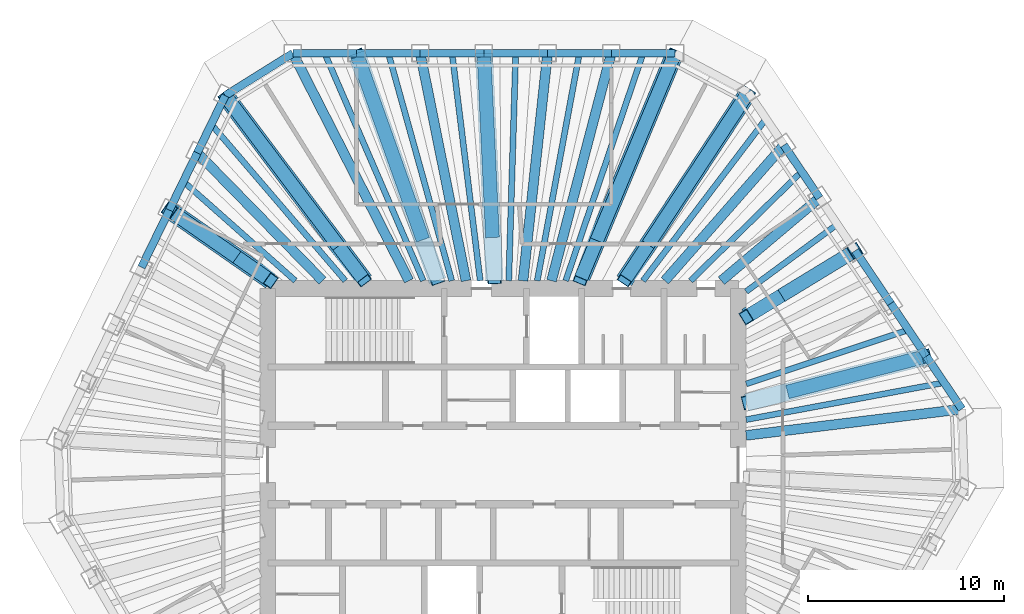
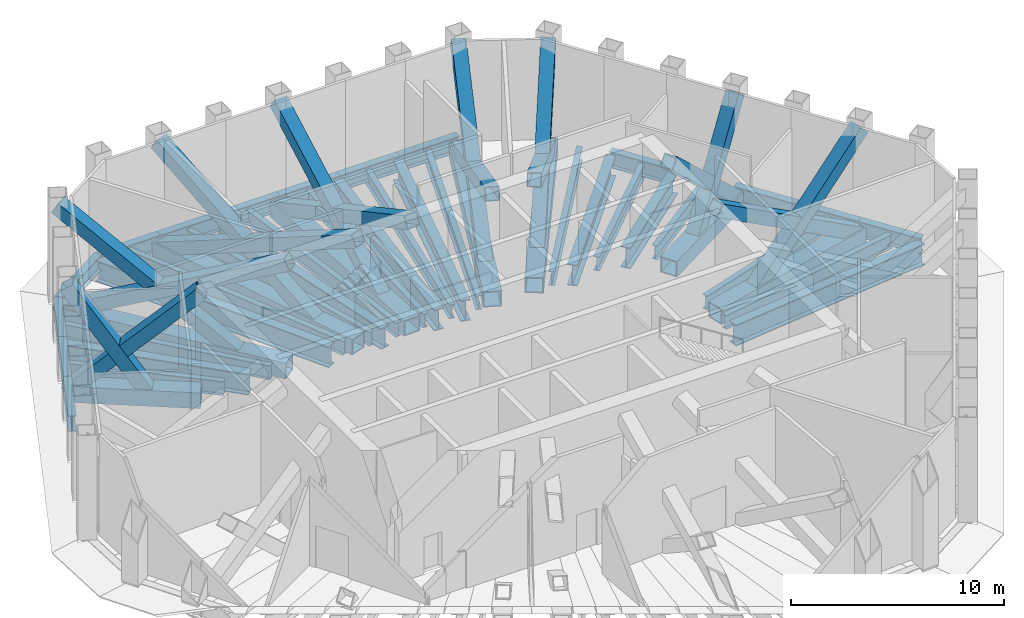
# One storey, part 3 of 10: 43 beams, 16 members.
"""IFC4 building model written with IfcOpenShell, lengths in metres."""

from ifc_helpers import new_model, si_unit, direction, frame, origin, origin_2d, place, context, subcontext, project, spatial, hollow_rectangle, i_section, extrude, material, material_profile, profile_set, type_object, element, save


model = new_model("IFC4")

# Units and contexts
model_context = context("Model", 3, precision=1e-05, world=origin(), true_north=direction((0.0, 1.0)))
body_context = subcontext(model_context, "Body", "Model", "MODEL_VIEW")
ifc_project = project(units=[si_unit("LENGTHUNIT", "METRE"), si_unit("AREAUNIT", "SQUARE_METRE"), si_unit("VOLUMEUNIT", "CUBIC_METRE"), si_unit("PLANEANGLEUNIT", "RADIAN"), si_unit("MASSUNIT", "GRAM", prefix="KILO")], contexts=[model_context])

# Site, building, storey
site_placement = place(None, origin())
site = spatial("IfcSite", under=ifc_project, at=site_placement, CompositionType="ELEMENT")
building_placement = place(site_placement, origin())
building = spatial("IfcBuilding", under=site, at=building_placement, Name="Qingtian Harvest Tower", CompositionType="ELEMENT")
storey_placement = place(building_placement, frame((0.0, 0.0, 337.60009765625)))
storey = spatial("IfcBuildingStorey", under=building, at=storey_placement, Name="L75", CompositionType="ELEMENT", Elevation=337.60009765625)

# Beams
ifc_material_1 = material(Name="Steel SN490B", Category="steel")
ifc_material_profile_1 = material_profile(ifc_material_1, i_section(OverallWidth=0.300048828125, OverallDepth=0.800048828125, WebThickness=0.013916015625, FlangeThickness=0.02587890625, at=origin_2d()), Name="H800x300x14x26")
ifc_profile_set_1 = profile_set([ifc_material_profile_1], Name="Steel SN490B")
beam_type_1 = type_object("IfcBeamType", Name="Floor joist J1 H800x300x14x26", PredefinedType="JOIST", material=ifc_profile_set_1)
beam_1_placement = place(storey_placement, frame((-9.09814453125, 21.0, -0.68017578125), z_axis=(0.39753589741, -0.917586622761, 0.0), x_axis=(0.917586622761, 0.39753589741, 0.0)))
element("IfcBeam", 1, at=beam_1_placement, inside=storey, type_object=beam_type_1, Name="Floor joist J1 N0", PredefinedType="JOIST", context=body_context, shape_type="SweptSolid", body=[
    extrude(i_section(OverallWidth=0.300048828125, OverallDepth=0.800048828125, WebThickness=0.013916015625, FlangeThickness=0.02587890625, at=origin_2d()), origin(), (0.0, 0.0, 1.0), 12.641845703125),
])
beam_2_placement = place(storey_placement, frame((-5.85009765625, 21.0, -0.68017578125), z_axis=(0.268352758425, -0.963320713494, 0.0), x_axis=(0.963320713494, 0.268352758425, 0.0)))
element("IfcBeam", 2, at=beam_2_placement, inside=storey, type_object=beam_type_1, Name="Floor joist J1 N1", PredefinedType="JOIST", context=body_context, shape_type="SweptSolid", body=[
    extrude(i_section(OverallWidth=0.300048828125, OverallDepth=0.800048828125, WebThickness=0.013916015625, FlangeThickness=0.02587890625, at=origin_2d()), origin(), (0.0, 0.0, 1.0), 12.041748046875),
])
beam_3_placement = place(storey_placement, frame((-2.602294921875, 21.0, -0.68017578125), z_axis=(0.122980691304, -0.992409063626, 0.0), x_axis=(0.992409063626, 0.122980691304, 0.0)))
element("IfcBeam", 3, at=beam_3_placement, inside=storey, type_object=beam_type_1, Name="Floor joist J1 N2", PredefinedType="JOIST", context=body_context, shape_type="SweptSolid", body=[
    extrude(i_section(OverallWidth=0.300048828125, OverallDepth=0.800048828125, WebThickness=0.013916015625, FlangeThickness=0.02587890625, at=origin_2d()), origin(), (0.0, 0.0, 1.0), 11.688720703125),
])
beam_4_placement = place(storey_placement, frame((0.645751953125, 21.0, -0.68017578125), z_axis=(-0.030734305856, -0.999527589636, 0.0), x_axis=(0.999527589636, -0.030734305856, 0.0)))
element("IfcBeam", 4, at=beam_4_placement, inside=storey, type_object=beam_type_1, Name="Floor joist J1 N3", PredefinedType="JOIST", context=body_context, shape_type="SweptSolid", body=[
    extrude(i_section(OverallWidth=0.300048828125, OverallDepth=0.800048828125, WebThickness=0.013916015625, FlangeThickness=0.02587890625, at=origin_2d()), origin(), (0.0, 0.0, 1.0), 11.60546875),
])
beam_5_placement = place(storey_placement, frame((3.893798828125, 21.0, -0.68017578125), z_axis=(-0.182311561934, -0.983240812001, 0.0), x_axis=(0.983240812001, -0.182311561934, 0.0)))
element("IfcBeam", 5, at=beam_5_placement, inside=storey, type_object=beam_type_1, Name="Floor joist J1 N4", PredefinedType="JOIST", context=body_context, shape_type="SweptSolid", body=[
    extrude(i_section(OverallWidth=0.300048828125, OverallDepth=0.800048828125, WebThickness=0.013916015625, FlangeThickness=0.02587890625, at=origin_2d()), origin(), (0.0, 0.0, 1.0), 11.7978515625),
])
beam_6_placement = place(storey_placement, frame((7.141845703125, 21.0, -0.68017578125), z_axis=(-0.321978462512, -0.946746993488, 0.0), x_axis=(0.946746993488, -0.321978462512, 0.0)))
element("IfcBeam", 6, at=beam_6_placement, inside=storey, type_object=beam_type_1, Name="Floor joist J1 N5", PredefinedType="JOIST", context=body_context, shape_type="SweptSolid", body=[
    extrude(i_section(OverallWidth=0.300048828125, OverallDepth=0.800048828125, WebThickness=0.013916015625, FlangeThickness=0.02587890625, at=origin_2d()), origin(), (0.0, 0.0, 1.0), 12.252685546875),
])
beam_7_placement = place(storey_placement, frame((13.416015625, 17.6640625, -0.68017578125), z_axis=(-0.604829724016, -0.796354823522, 0.0), x_axis=(0.796354823522, -0.604829724016, 0.0)))
element("IfcBeam", 7, at=beam_7_placement, inside=storey, type_object=beam_type_1, Name="Floor joist J1 NE0", PredefinedType="JOIST", context=body_context, shape_type="SweptSolid", body=[
    extrude(i_section(OverallWidth=0.300048828125, OverallDepth=0.800048828125, WebThickness=0.013916015625, FlangeThickness=0.02587890625, at=origin_2d()), origin(), (0.0, 0.0, 1.0), 10.37744140625),
])
beam_8_placement = place(storey_placement, frame((15.232421875, 14.97119140625, -0.68017578125), z_axis=(-0.713193091885, -0.700967626704, 0.0), x_axis=(0.700967626704, -0.713193091885, 0.0)))
element("IfcBeam", 8, at=beam_8_placement, inside=storey, type_object=beam_type_1, Name="Floor joist J1 NE1", PredefinedType="JOIST", context=body_context, shape_type="SweptSolid", body=[
    extrude(i_section(OverallWidth=0.300048828125, OverallDepth=0.800048828125, WebThickness=0.013916015625, FlangeThickness=0.02587890625, at=origin_2d()), origin(), (0.0, 0.0, 1.0), 7.947998046875),
])
beam_9_placement = place(storey_placement, frame((17.048583984375, 12.278564453125, -0.68017578125), z_axis=(-0.804797608796, -0.59354933146, 0.0), x_axis=(0.59354933146, -0.804797608796, 0.0)))
element("IfcBeam", 9, at=beam_9_placement, inside=storey, type_object=beam_type_1, Name="Floor joist J1 NE2", PredefinedType="JOIST", context=body_context, shape_type="SweptSolid", body=[
    extrude(i_section(OverallWidth=0.300048828125, OverallDepth=0.800048828125, WebThickness=0.013916015625, FlangeThickness=0.02587890625, at=origin_2d()), origin(), (0.0, 0.0, 1.0), 5.776123046875),
])
beam_10_placement = place(storey_placement, frame((20.68115234375, 6.89306640625, -0.68017578125), z_axis=(-0.948688891587, -0.316210984914, 0.0), x_axis=(0.316210984914, -0.948688891587, 0.0)))
element("IfcBeam", 10, at=beam_10_placement, inside=storey, type_object=beam_type_1, Name="Floor joist J1 NE4", PredefinedType="JOIST", context=body_context, shape_type="SweptSolid", body=[
    extrude(i_section(OverallWidth=0.300048828125, OverallDepth=0.800048828125, WebThickness=0.013916015625, FlangeThickness=0.02587890625, at=origin_2d()), origin(), (0.0, 0.0, 1.0), 8.729248046875),
])
beam_11_placement = place(storey_placement, frame((22.49755859375, 4.2001953125, -0.68017578125), z_axis=(-0.983018248018, -0.183507831067, 0.0), x_axis=(0.183507831067, -0.983018248018, 0.0)))
element("IfcBeam", 11, at=beam_11_placement, inside=storey, type_object=beam_type_1, Name="Floor joist J1 NE5", PredefinedType="JOIST", context=body_context, shape_type="SweptSolid", body=[
    extrude(i_section(OverallWidth=0.300048828125, OverallDepth=0.800048828125, WebThickness=0.013916015625, FlangeThickness=0.02587890625, at=origin_2d()), origin(), (0.0, 0.0, 1.0), 10.27197265625),
])
beam_12_placement = place(storey_placement, frame((-16.31005859375, 14.4638671875, -0.68017578125), z_axis=(0.748174776717, -0.663501698177, 0.0), x_axis=(0.663501698177, 0.748174776717, 0.0)))
element("IfcBeam", 12, at=beam_12_placement, inside=storey, type_object=beam_type_1, Name="Floor joist J1 NW4", PredefinedType="JOIST", context=body_context, shape_type="SweptSolid", body=[
    extrude(i_section(OverallWidth=0.300048828125, OverallDepth=0.800048828125, WebThickness=0.013916015625, FlangeThickness=0.02587890625, at=origin_2d()), origin(), (0.0, 0.0, 1.0), 7.632080078125),
])
beam_13_placement = place(storey_placement, frame((-14.88623046875, 17.38330078125, -0.68017578125), z_axis=(0.650435500933, -0.75956149134, 0.0), x_axis=(0.75956149134, 0.650435500933, 0.0)))
element("IfcBeam", 13, at=beam_13_placement, inside=storey, type_object=beam_type_1, Name="Floor joist J1 NW5", PredefinedType="JOIST", context=body_context, shape_type="SweptSolid", body=[
    extrude(i_section(OverallWidth=0.300048828125, OverallDepth=0.800048828125, WebThickness=0.013916015625, FlangeThickness=0.02587890625, at=origin_2d()), origin(), (0.0, 0.0, 1.0), 10.510498046875),
])
ifc_material_2 = material(Name="Steel SM570MC", Category="steel")
ifc_material_profile_2 = material_profile(ifc_material_2, hollow_rectangle(XDim=0.89990234375, YDim=0.89990234375, WallThickness=0.06005859375, at=origin_2d()), Name="BOX900x900x60")
ifc_profile_set_2 = profile_set([ifc_material_profile_2], Name="Steel SM570MC")
beam_type_2 = type_object("IfcBeamType", Name="Outrigger chord beam OC1 BOX900x900x60", PredefinedType="BEAM", material=ifc_profile_set_2)
beam_14_placement = place(storey_placement, frame((-7.47412109375, 21.0, -0.72998046875), z_axis=(0.335293644082, -0.942113672673, 0.0), x_axis=(0.942113672673, 0.335293644082, 0.0)))
element("IfcBeam", 14, at=beam_14_placement, inside=storey, type_object=beam_type_2, Name="Floor beam OC1 N1", PredefinedType="BEAM", context=body_context, shape_type="SweptSolid", body=[
    extrude(hollow_rectangle(XDim=0.89990234375, YDim=0.89990234375, WallThickness=0.06005859375, at=origin_2d()), origin(), (0.0, 0.0, 1.0), 12.312744140625),
])
beam_15_placement = place(storey_placement, frame((-0.978271484375, 21.0, -0.72998046875), z_axis=(0.046546287853, -0.998916134161, 0.0), x_axis=(0.998916134161, 0.046546287853, 0.0)))
element("IfcBeam", 15, at=beam_15_placement, inside=storey, type_object=beam_type_2, Name="Floor beam OC1 N3", PredefinedType="BEAM", context=body_context, shape_type="SweptSolid", body=[
    extrude(hollow_rectangle(XDim=0.89990234375, YDim=0.89990234375, WallThickness=0.06005859375, at=origin_2d()), origin(), (0.0, 0.0, 1.0), 11.61279296875),
])
beam_16_placement = place(storey_placement, frame((8.765869140625, 21.0, -0.72998046875), z_axis=(-0.385202803059, -0.922831945977, 0.0), x_axis=(0.922831945977, -0.385202803059, 0.0)))
element("IfcBeam", 16, at=beam_16_placement, inside=storey, type_object=beam_type_2, Name="Floor beam OC1 N6", PredefinedType="BEAM", context=body_context, shape_type="SweptSolid", body=[
    extrude(hollow_rectangle(XDim=0.89990234375, YDim=0.89990234375, WallThickness=0.06005859375, at=origin_2d()), origin(), (0.0, 0.0, 1.0), 12.570068359375),
])
beam_17_placement = place(storey_placement, frame((12.508056640625, 19.01025390625, -0.72998046875), z_axis=(-0.549655478371, -0.835391438247, 0.0), x_axis=(0.835391438247, -0.549655478371, 0.0)))
element("IfcBeam", 17, at=beam_17_placement, inside=storey, type_object=beam_type_2, Name="Floor beam OC1 NE0", PredefinedType="BEAM", context=body_context, shape_type="SweptSolid", body=[
    extrude(hollow_rectangle(XDim=0.89990234375, YDim=0.89990234375, WallThickness=0.06005859375, at=origin_2d()), origin(), (0.0, 0.0, 1.0), 11.50390625),
])
beam_18_placement = place(storey_placement, frame((17.956787109375, 10.93212890625, -0.72998046875), z_axis=(-0.854157247087, -0.520014804836, 0.0), x_axis=(0.520014804836, -0.854157247087, 0.0)))
element("IfcBeam", 18, at=beam_18_placement, inside=storey, type_object=beam_type_2, Name="Floor beam OC1 NE3", PredefinedType="BEAM", context=body_context, shape_type="SweptSolid", body=[
    extrude(hollow_rectangle(XDim=0.89990234375, YDim=0.89990234375, WallThickness=0.06005859375, at=origin_2d()), origin(), (0.0, 0.0, 1.0), 6.505615234375),
])
beam_19_placement = place(storey_placement, frame((21.58935546875, 5.546630859375, -0.72998046875), z_axis=(-0.96854787986, -0.248827258189, 0.0), x_axis=(0.248827258189, -0.96854787986, 0.0)))
element("IfcBeam", 19, at=beam_19_placement, inside=storey, type_object=beam_type_2, Name="Floor beam OC1 NE5", PredefinedType="BEAM", context=body_context, shape_type="SweptSolid", body=[
    extrude(hollow_rectangle(XDim=0.89990234375, YDim=0.89990234375, WallThickness=0.06005859375, at=origin_2d()), origin(), (0.0, 0.0, 1.0), 9.48779296875),
])
beam_20_placement = place(storey_placement, frame((-17.02197265625, 13.00439453125, -0.72998046875), z_axis=(0.820409176986, -0.571776864097, 0.0), x_axis=(0.571776864097, 0.820409176986, 0.0)))
element("IfcBeam", 20, at=beam_20_placement, inside=storey, type_object=beam_type_2, Name="Floor beam OC1 NW4", PredefinedType="BEAM", context=body_context, shape_type="SweptSolid", body=[
    extrude(hollow_rectangle(XDim=0.89990234375, YDim=0.89990234375, WallThickness=0.06005859375, at=origin_2d()), origin(), (0.0, 0.0, 1.0), 6.303955078125),
])
beam_21_placement = place(storey_placement, frame((-14.17431640625, 18.8427734375, -0.72998046875), z_axis=(0.601143201392, -0.799141321307, 0.0), x_axis=(0.799141321307, 0.601143201392, 0.0)))
element("IfcBeam", 21, at=beam_21_placement, inside=storey, type_object=beam_type_2, Name="Floor beam OC1 NW6", PredefinedType="BEAM", context=body_context, shape_type="SweptSolid", body=[
    extrude(hollow_rectangle(XDim=0.89990234375, YDim=0.89990234375, WallThickness=0.06005859375, at=origin_2d()), origin(), (0.0, 0.0, 1.0), 11.816162109375),
])

# Members
ifc_material_3 = material(Name="Steel SM570MC", Category="steel")
ifc_material_profile_3 = material_profile(ifc_material_3, hollow_rectangle(XDim=0.699951171875, YDim=0.699951171875, WallThickness=0.0400390625, at=origin_2d()), Name="BOX700x700x40")
ifc_profile_set_3 = profile_set([ifc_material_profile_3], Name="Steel SM570MC")
member_type = type_object("IfcMemberType", Name="Outrigger diagonal OT4 BOX700x700x40", PredefinedType="BRACE", material=ifc_profile_set_3)
member_1_placement = place(storey_placement, frame((8.765869140625, 21.0, -0.72998046875), z_axis=(-0.347310878892, -0.832054106775, 0.432505626324), x_axis=(0.922831945977, -0.385202803059, 0.0)))
element("IfcMember", 22, at=member_1_placement, inside=storey, type_object=member_type, Name="Outrigger diagonal OT4 L75 N6-1", PredefinedType="BRACE", context=body_context, shape_type="SweptSolid", body=[
    extrude(hollow_rectangle(XDim=0.699951171875, YDim=0.699951171875, WallThickness=0.0400390625, at=origin_2d()), origin(), (0.0, 0.0, 1.0), 13.94140625),
])
member_2_placement = place(storey_placement, frame((4.848388671875, 11.61474609375, -0.72998046875), z_axis=(0.331338549755, 0.793800107794, 0.509996229704), x_axis=(-0.922833839316, 0.385198267147, 0.0)))
element("IfcMember", 23, at=member_2_placement, inside=storey, type_object=member_type, Name="Outrigger diagonal OT4 L75 N6-2", PredefinedType="BRACE", context=body_context, shape_type="SweptSolid", body=[
    extrude(hollow_rectangle(XDim=0.699951171875, YDim=0.699951171875, WallThickness=0.0400390625, at=origin_2d()), origin(), (0.0, 0.0, 1.0), 11.8232421875),
])
member_3_placement = place(storey_placement, frame((-7.47412109375, 21.0, -0.72998046875), z_axis=(0.301124330333, -0.846104165075, 0.439808912511), x_axis=(0.942113672673, 0.335293644082, 0.0)))
element("IfcMember", 24, at=member_3_placement, inside=storey, type_object=member_type, Name="Outrigger diagonal OT4 L75 N1-1", PredefinedType="BRACE", context=body_context, shape_type="SweptSolid", body=[
    extrude(hollow_rectangle(XDim=0.699951171875, YDim=0.699951171875, WallThickness=0.0400390625, at=origin_2d()), origin(), (0.0, 0.0, 1.0), 13.7099609375),
])
member_4_placement = place(storey_placement, frame((-4.150390625, 11.6611328125, -0.72998046875), z_axis=(-0.28646469948, 0.804895525527, 0.519693341249), x_axis=(-0.942111335097, -0.335300212172, 0.0)))
element("IfcMember", 25, at=member_4_placement, inside=storey, type_object=member_type, Name="Outrigger diagonal OT4 L75 N1-2", PredefinedType="BRACE", context=body_context, shape_type="SweptSolid", body=[
    extrude(hollow_rectangle(XDim=0.699951171875, YDim=0.699951171875, WallThickness=0.0400390625, at=origin_2d()), origin(), (0.0, 0.0, 1.0), 11.6025390625),
])
member_5_placement = place(storey_placement, frame((21.58935546875, 5.546630859375, -0.72998046875), z_axis=(-0.817436565856, -0.210005621462, 0.536372165343), x_axis=(0.248827258189, -0.96854787986, 0.0)))
element("IfcMember", 26, at=member_5_placement, inside=storey, type_object=member_type, Name="Outrigger diagonal OT4 L75 NE5-1", PredefinedType="BRACE", context=body_context, shape_type="SweptSolid", body=[
    extrude(hollow_rectangle(XDim=0.699951171875, YDim=0.699951171875, WallThickness=0.0400390625, at=origin_2d()), origin(), (0.0, 0.0, 1.0), 11.24169921875),
])
member_6_placement = place(storey_placement, frame((14.724609375, 3.782958984375, -0.72998046875), z_axis=(0.737703111156, 0.189528674692, 0.647976080778), x_axis=(-0.248836100483, 0.968545608165, 0.0)))
element("IfcMember", 27, at=member_6_placement, inside=storey, type_object=member_type, Name="Outrigger diagonal OT4 L75 NE5-2", PredefinedType="BRACE", context=body_context, shape_type="SweptSolid", body=[
    extrude(hollow_rectangle(XDim=0.699951171875, YDim=0.699951171875, WallThickness=0.0400390625, at=origin_2d()), origin(), (0.0, 0.0, 1.0), 9.3056640625),
])
member_7_placement = place(storey_placement, frame((-0.978271484375, 21.0, -0.72998046875), z_axis=(0.041309470105, -0.886530335403, 0.460822625411), x_axis=(0.998916134161, 0.046546287853, 0.0)))
element("IfcMember", 28, at=member_7_placement, inside=storey, type_object=member_type, Name="Outrigger diagonal OT4 L75 N3-1", PredefinedType="BRACE", context=body_context, shape_type="SweptSolid", body=[
    extrude(hollow_rectangle(XDim=0.699951171875, YDim=0.699951171875, WallThickness=0.0400390625, at=origin_2d()), origin(), (0.0, 0.0, 1.0), 13.084716796875),
])
member_8_placement = place(storey_placement, frame((-0.549560546875, 11.79736328125, -0.72998046875), z_axis=(-0.038936632857, 0.835807197561, 0.547640636848), x_axis=(-0.998916650992, -0.046535194968, 0.0)))
element("IfcMember", 29, at=member_8_placement, inside=storey, type_object=member_type, Name="Outrigger diagonal OT4 L75 N3-2", PredefinedType="BRACE", context=body_context, shape_type="SweptSolid", body=[
    extrude(hollow_rectangle(XDim=0.699951171875, YDim=0.699951171875, WallThickness=0.0400390625, at=origin_2d()), origin(), (0.0, 0.0, 1.0), 11.010498046875),
])
member_9_placement = place(storey_placement, frame((17.956787109375, 10.93212890625, -0.72998046875), z_axis=(-0.626459112351, -0.38139114801, 0.679771853471), x_axis=(0.520014804836, -0.854157247087, 0.0)))
element("IfcMember", 30, at=member_9_placement, inside=storey, type_object=member_type, Name="Outrigger diagonal OT4 L75 NE3-1", PredefinedType="BRACE", context=body_context, shape_type="SweptSolid", body=[
    extrude(hollow_rectangle(XDim=0.699951171875, YDim=0.699951171875, WallThickness=0.0400390625, at=origin_2d()), origin(), (0.0, 0.0, 1.0), 8.870361328125),
])
member_10_placement = place(storey_placement, frame((14.449951171875, 8.797119140625, -0.72998046875), z_axis=(0.480729265422, 0.292674563222, 0.826583917948), x_axis=(-0.520020517397, 0.854153769228, 0.0)))
element("IfcMember", 31, at=member_10_placement, inside=storey, type_object=member_type, Name="Outrigger diagonal OT4 L75 NE3-2", PredefinedType="BRACE", context=body_context, shape_type="SweptSolid", body=[
    extrude(hollow_rectangle(XDim=0.699951171875, YDim=0.699951171875, WallThickness=0.0400390625, at=origin_2d()), origin(), (0.0, 0.0, 1.0), 7.294921875),
])
member_11_placement = place(storey_placement, frame((-17.02197265625, 13.00439453125, -0.72998046875), z_axis=(0.592868870538, -0.413194675445, 0.691213905048), x_axis=(0.571776864097, 0.820409176986, 0.0)))
element("IfcMember", 32, at=member_11_placement, inside=storey, type_object=member_type, Name="Outrigger diagonal OT4 L75 NW4-1", PredefinedType="BRACE", context=body_context, shape_type="SweptSolid", body=[
    extrude(hollow_rectangle(XDim=0.699951171875, YDim=0.699951171875, WallThickness=0.0400390625, at=origin_2d()), origin(), (0.0, 0.0, 1.0), 8.723388671875),
])
member_12_placement = place(storey_placement, frame((-13.819091796875, 10.772216796875, -0.72998046875), z_axis=(-0.445880598056, 0.310746726734, 0.839420612149), x_axis=(-0.571769703131, -0.820414167711, 0.0)))
element("IfcMember", 33, at=member_12_placement, inside=storey, type_object=member_type, Name="Outrigger diagonal OT4 L75 NW4-2", PredefinedType="BRACE", context=body_context, shape_type="SweptSolid", body=[
    extrude(hollow_rectangle(XDim=0.699951171875, YDim=0.699951171875, WallThickness=0.0400390625, at=origin_2d()), origin(), (0.0, 0.0, 1.0), 7.183349609375),
])
member_13_placement = place(storey_placement, frame((12.508056640625, 19.01025390625, -0.72998046875), z_axis=(-0.486834734612, -0.739913609779, 0.464241091717), x_axis=(0.835391438247, -0.549655478371, 0.0)))
element("IfcMember", 34, at=member_13_placement, inside=storey, type_object=member_type, Name="Outrigger diagonal OT4 L75 NE0-1", PredefinedType="BRACE", context=body_context, shape_type="SweptSolid", body=[
    extrude(hollow_rectangle(XDim=0.699951171875, YDim=0.699951171875, WallThickness=0.0400390625, at=origin_2d()), origin(), (0.0, 0.0, 1.0), 12.988525390625),
])
member_14_placement = place(storey_placement, frame((7.50390625, 11.405029296875, -0.72998046875), z_axis=(0.458269228012, 0.696469957642, 0.552194633041), x_axis=(-0.835381112549, 0.549671171517, 0.0)))
element("IfcMember", 35, at=member_14_placement, inside=storey, type_object=member_type, Name="Outrigger diagonal OT4 L75 NE0-2", PredefinedType="BRACE", context=body_context, shape_type="SweptSolid", body=[
    extrude(hollow_rectangle(XDim=0.699951171875, YDim=0.699951171875, WallThickness=0.0400390625, at=origin_2d()), origin(), (0.0, 0.0, 1.0), 10.919677734375),
])
member_15_placement = place(storey_placement, frame((-14.17431640625, 18.8427734375, -0.72998046875), z_axis=(0.535455719513, -0.711818399015, 0.454534640335), x_axis=(0.799141321307, 0.601143201392, 0.0)))
element("IfcMember", 36, at=member_15_placement, inside=storey, type_object=member_type, Name="Outrigger diagonal OT4 L75 NW6-1", PredefinedType="BRACE", context=body_context, shape_type="SweptSolid", body=[
    extrude(hollow_rectangle(XDim=0.699951171875, YDim=0.699951171875, WallThickness=0.0400390625, at=origin_2d()), origin(), (0.0, 0.0, 1.0), 13.265869140625),
])
member_16_placement = place(storey_placement, frame((-8.513671875, 11.31787109375, -0.72998046875), z_axis=(-0.506252085461, 0.672979460798, 0.539265677853), x_axis=(-0.799134230793, -0.601152627187, 0.0)))
element("IfcMember", 37, at=member_16_placement, inside=storey, type_object=member_type, Name="Outrigger diagonal OT4 L75 NW6-2", PredefinedType="BRACE", context=body_context, shape_type="SweptSolid", body=[
    extrude(hollow_rectangle(XDim=0.699951171875, YDim=0.699951171875, WallThickness=0.0400390625, at=origin_2d()), origin(), (0.0, 0.0, 1.0), 11.181396484375),
])

# Beams
ifc_material_4 = material(Name="Steel SM570MC", Category="steel")
ifc_material_profile_4 = material_profile(ifc_material_4, i_section(OverallWidth=0.5, OverallDepth=1.199951171875, WebThickness=0.02490234375, FlangeThickness=0.050048828125, at=origin_2d()), Name="H1200x500x25x50")
ifc_profile_set_4 = profile_set([ifc_material_profile_4], Name="Steel SM570MC")
beam_type_3 = type_object("IfcBeamType", Name="Plant corner beam FB10 H1200x500x25x50", PredefinedType="BEAM", material=ifc_profile_set_4)
beam_22_placement = place(storey_placement, frame((-10.72216796875, 21.0, -0.880126953125), z_axis=(0.454725592954, -0.890631593372, 0.0), x_axis=(0.890631593372, 0.454725592954, 0.0)))
element("IfcBeam", 38, at=beam_22_placement, inside=storey, type_object=beam_type_3, Name="Floor beam FB10 N0", PredefinedType="BEAM", context=body_context, shape_type="SweptSolid", body=[
    extrude(i_section(OverallWidth=0.5, OverallDepth=1.199951171875, WebThickness=0.02490234375, FlangeThickness=0.050048828125, at=origin_2d()), origin(), (0.0, 0.0, 1.0), 13.024658203125),
])
beam_23_placement = place(storey_placement, frame((23.405517578125, 2.85400390625, -0.880126953125), z_axis=(-0.992647039178, -0.121044849583, 0.0), x_axis=(0.121044849583, -0.992647039178, 0.0)))
element("IfcBeam", 39, at=beam_23_placement, inside=storey, type_object=beam_type_3, Name="Floor beam FB10 NE6", PredefinedType="BEAM", context=body_context, shape_type="SweptSolid", body=[
    extrude(i_section(OverallWidth=0.5, OverallDepth=1.199951171875, WebThickness=0.02490234375, FlangeThickness=0.050048828125, at=origin_2d()), origin(), (0.0, 0.0, 1.0), 11.087158203125),
])
ifc_material_5 = material(Name="Steel SM570MC", Category="steel")
ifc_material_profile_5 = material_profile(ifc_material_5, i_section(OverallWidth=0.5, OverallDepth=1.199951171875, WebThickness=0.02490234375, FlangeThickness=0.050048828125, at=origin_2d()), Name="H1200x500x25x50")
ifc_profile_set_5 = profile_set([ifc_material_profile_5], Name="Steel SM570MC")
beam_type_4 = type_object("IfcBeamType", Name="Plant floor beam FB7 H1200x500x25x50", PredefinedType="BEAM", material=ifc_profile_set_5)
beam_24_placement = place(storey_placement, frame((-4.226318359375, 21.0, -0.880126953125), z_axis=(0.197290474792, -0.980345076265, 0.0), x_axis=(0.980345076265, 0.197290474792, 0.0)))
element("IfcBeam", 40, at=beam_24_placement, inside=storey, type_object=beam_type_4, Name="Floor beam FB7 N2", PredefinedType="BEAM", context=body_context, shape_type="SweptSolid", body=[
    extrude(i_section(OverallWidth=0.5, OverallDepth=1.199951171875, WebThickness=0.02490234375, FlangeThickness=0.050048828125, at=origin_2d()), origin(), (0.0, 0.0, 1.0), 11.832763671875),
])
beam_25_placement = place(storey_placement, frame((2.269775390625, 21.0, -0.880126953125), z_axis=(-0.107447744153, -0.994210733334, 0.0), x_axis=(0.994210733334, -0.107447744153, 0.0)))
element("IfcBeam", 41, at=beam_25_placement, inside=storey, type_object=beam_type_4, Name="Floor beam FB7 N4", PredefinedType="BEAM", context=body_context, shape_type="SweptSolid", body=[
    extrude(i_section(OverallWidth=0.5, OverallDepth=1.199951171875, WebThickness=0.02490234375, FlangeThickness=0.050048828125, at=origin_2d()), origin(), (0.0, 0.0, 1.0), 11.667724609375),
])
beam_26_placement = place(storey_placement, frame((5.517822265625, 21.0, -0.880126953125), z_axis=(-0.254118548412, -0.967173078282, 0.0), x_axis=(0.967173078282, -0.254118548412, 0.0)))
element("IfcBeam", 42, at=beam_26_placement, inside=storey, type_object=beam_type_4, Name="Floor beam FB7 N5", PredefinedType="BEAM", context=body_context, shape_type="SweptSolid", body=[
    extrude(i_section(OverallWidth=0.5, OverallDepth=1.199951171875, WebThickness=0.02490234375, FlangeThickness=0.050048828125, at=origin_2d()), origin(), (0.0, 0.0, 1.0), 11.993896484375),
])
beam_27_placement = place(storey_placement, frame((14.32421875, 16.317626953125, -0.880126953125), z_axis=(-0.659703637934, -0.751525854576, 0.0), x_axis=(0.751525854576, -0.659703637934, 0.0)))
element("IfcBeam", 43, at=beam_27_placement, inside=storey, type_object=beam_type_4, Name="Floor beam FB7 NE1", PredefinedType="BEAM", context=body_context, shape_type="SweptSolid", body=[
    extrude(i_section(OverallWidth=0.5, OverallDepth=1.199951171875, WebThickness=0.02490234375, FlangeThickness=0.050048828125, at=origin_2d()), origin(), (0.0, 0.0, 1.0), 9.204833984375),
])
beam_28_placement = place(storey_placement, frame((16.140625, 13.624755859375, -0.880126953125), z_axis=(-0.764157701072, -0.645029462809, 0.0), x_axis=(0.645029462809, -0.764157701072, 0.0)))
element("IfcBeam", 44, at=beam_28_placement, inside=storey, type_object=beam_type_4, Name="Floor beam FB7 NE2", PredefinedType="BEAM", context=body_context, shape_type="SweptSolid", body=[
    extrude(i_section(OverallWidth=0.5, OverallDepth=1.199951171875, WebThickness=0.02490234375, FlangeThickness=0.050048828125, at=origin_2d()), origin(), (0.0, 0.0, 1.0), 6.5498046875),
])
beam_29_placement = place(storey_placement, frame((-15.59814453125, 15.923583984375, -0.880126953125), z_axis=(0.699757003326, -0.714380946202, 0.0), x_axis=(0.714380946202, 0.699757003326, 0.0)))
element("IfcBeam", 45, at=beam_29_placement, inside=storey, type_object=beam_type_4, Name="Floor beam FB7 NW5", PredefinedType="BEAM", context=body_context, shape_type="SweptSolid", body=[
    extrude(i_section(OverallWidth=0.5, OverallDepth=1.199951171875, WebThickness=0.02490234375, FlangeThickness=0.050048828125, at=origin_2d()), origin(), (0.0, 0.0, 1.0), 9.1318359375),
])
ifc_material_6 = material(Name="Steel SN490B", Category="steel")
ifc_material_profile_6 = material_profile(ifc_material_6, i_section(OverallWidth=0.39990234375, OverallDepth=0.89990234375, WebThickness=0.01904296875, FlangeThickness=0.035888671875, at=origin_2d()), Name="H900x400x19x36")
ifc_profile_set_6 = profile_set([ifc_material_profile_6], Name="Steel SN490B")
beam_type_5 = type_object("IfcBeamType", Name="Spandrel beam SB4 H900x400x19x36", PredefinedType="SPANDREL", material=ifc_profile_set_6)
beam_30_placement = place(storey_placement, frame((-10.72216796875, 21.0, -0.4501953125), z_axis=(1.0, 0.0, 0.0), x_axis=(0.0, 1.0, 0.0)))
element("IfcBeam", 46, at=beam_30_placement, inside=storey, type_object=beam_type_5, Name="Spandrel SB4 N0", PredefinedType="SPANDREL", context=body_context, shape_type="SweptSolid", body=[
    extrude(i_section(OverallWidth=0.39990234375, OverallDepth=0.89990234375, WebThickness=0.01904296875, FlangeThickness=0.035888671875, at=origin_2d()), origin(), (0.0, 0.0, 1.0), 3.248046875),
])
beam_31_placement = place(storey_placement, frame((-7.47412109375, 21.0, -0.4501953125), z_axis=(1.0, 0.0, 0.0), x_axis=(0.0, 1.0, 0.0)))
element("IfcBeam", 47, at=beam_31_placement, inside=storey, type_object=beam_type_5, Name="Spandrel SB4 N1", PredefinedType="SPANDREL", context=body_context, shape_type="SweptSolid", body=[
    extrude(i_section(OverallWidth=0.39990234375, OverallDepth=0.89990234375, WebThickness=0.01904296875, FlangeThickness=0.035888671875, at=origin_2d()), origin(), (0.0, 0.0, 1.0), 3.247802734375),
])
for number, where, z_axis, x_axis, name in (
    (48, (-4.226318359375, 21.0, -0.4501953125), (1.0, 0.0, 0.0), (0.0, 1.0, 0.0), "Spandrel SB4 N2"),
    (49, (-0.978271484375, 21.0, -0.4501953125), (1.0, 0.0, 0.0), (0.0, 1.0, 0.0), "Spandrel SB4 N3"),
    (50, (2.269775390625, 21.0, -0.4501953125), (1.0, 0.0, 0.0), (0.0, 1.0, 0.0), "Spandrel SB4 N4"),
    (51, (5.517822265625, 21.0, -0.4501953125), (1.0, 0.0, 0.0), (0.0, 1.0, 0.0), "Spandrel SB4 N5"),
):
    element("IfcBeam", number, at=place(storey_placement, frame(where, z_axis=z_axis, x_axis=x_axis)), inside=storey, type_object=beam_type_5, Name=name, PredefinedType="SPANDREL", context=body_context, shape_type="SweptSolid", body=[
        extrude(i_section(OverallWidth=0.39990234375, OverallDepth=0.89990234375, WebThickness=0.01904296875, FlangeThickness=0.035888671875, at=origin_2d()), origin(), (0.0, 0.0, 1.0), 3.248046875),
    ])
beam_32_placement = place(storey_placement, frame((14.32421875, 16.317626953125, -0.4501953125), z_axis=(0.559201740147, -0.829031612073, 0.0), x_axis=(0.829031612073, 0.559201740147, 0.0)))
element("IfcBeam", 52, at=beam_32_placement, inside=storey, type_object=beam_type_5, Name="Spandrel SB4 NE1", PredefinedType="SPANDREL", context=body_context, shape_type="SweptSolid", body=[
    extrude(i_section(OverallWidth=0.39990234375, OverallDepth=0.89990234375, WebThickness=0.01904296875, FlangeThickness=0.035888671875, at=origin_2d()), origin(), (0.0, 0.0, 1.0), 3.248291015625),
])
for number, where, z_axis, x_axis, name in (
    (53, (17.956787109375, 10.93212890625, -0.4501953125), (0.55915007887, -0.829066456504, 0.0), (0.829066456504, 0.55915007887, 0.0), "Spandrel SB4 NE3"),
    (54, (19.77294921875, 8.2392578125, -0.4501953125), (0.5592365864, -0.829008106372, 0.0), (0.829008106372, 0.5592365864, 0.0), "Spandrel SB4 NE4"),
):
    element("IfcBeam", number, at=place(storey_placement, frame(where, z_axis=z_axis, x_axis=x_axis)), inside=storey, type_object=beam_type_5, Name=name, PredefinedType="SPANDREL", context=body_context, shape_type="SweptSolid", body=[
        extrude(i_section(OverallWidth=0.39990234375, OverallDepth=0.89990234375, WebThickness=0.01904296875, FlangeThickness=0.035888671875, at=origin_2d()), origin(), (0.0, 0.0, 1.0), 3.248046875),
    ])
beam_33_placement = place(storey_placement, frame((21.58935546875, 5.546630859375, -0.4501953125), z_axis=(0.559184924833, -0.829042954158, 0.0), x_axis=(0.829042954158, 0.559184924833, 0.0)))
element("IfcBeam", 55, at=beam_33_placement, inside=storey, type_object=beam_type_5, Name="Spandrel SB4 NE5", PredefinedType="SPANDREL", context=body_context, shape_type="SweptSolid", body=[
    extrude(i_section(OverallWidth=0.39990234375, OverallDepth=0.89990234375, WebThickness=0.01904296875, FlangeThickness=0.035888671875, at=origin_2d()), origin(), (0.0, 0.0, 1.0), 3.247802734375),
])
beam_34_placement = place(storey_placement, frame((-18.44580078125, 10.0849609375, -0.4501953125), z_axis=(0.438352548749, 0.898803116931, 0.0), x_axis=(-0.898803116931, 0.438352548749, 0.0)))
element("IfcBeam", 56, at=beam_34_placement, inside=storey, type_object=beam_type_5, Name="Spandrel SB4 NW3", PredefinedType="SPANDREL", context=body_context, shape_type="SweptSolid", body=[
    extrude(i_section(OverallWidth=0.39990234375, OverallDepth=0.89990234375, WebThickness=0.01904296875, FlangeThickness=0.035888671875, at=origin_2d()), origin(), (0.0, 0.0, 1.0), 3.248046875),
])
for number, where, z_axis, x_axis, name in (
    (57, (-17.02197265625, 13.00439453125, -0.4501953125), (0.438382164311, 0.898788672611, 0.0), (-0.898788672611, 0.438382164311, 0.0), "Spandrel SB4 NW4"),
    (58, (-15.59814453125, 15.923583984375, -0.4501953125), (0.438382164311, 0.898788672611, 0.0), (-0.898788672611, 0.438382164311, 0.0), "Spandrel SB4 NW5"),
):
    element("IfcBeam", number, at=place(storey_placement, frame(where, z_axis=z_axis, x_axis=x_axis)), inside=storey, type_object=beam_type_5, Name=name, PredefinedType="SPANDREL", context=body_context, shape_type="SweptSolid", body=[
        extrude(i_section(OverallWidth=0.39990234375, OverallDepth=0.89990234375, WebThickness=0.01904296875, FlangeThickness=0.035888671875, at=origin_2d()), origin(), (0.0, 0.0, 1.0), 3.247802734375),
    ])
beam_35_placement = place(storey_placement, frame((-14.17431640625, 18.8427734375, -0.4501953125), z_axis=(0.848038733752, 0.529934246919, 0.0), x_axis=(-0.529934246919, 0.848038733752, 0.0)))
element("IfcBeam", 59, at=beam_35_placement, inside=storey, type_object=beam_type_5, Name="Spandrel SB4 NWC", PredefinedType="SPANDREL", context=body_context, shape_type="SweptSolid", body=[
    extrude(i_section(OverallWidth=0.39990234375, OverallDepth=0.89990234375, WebThickness=0.01904296875, FlangeThickness=0.035888671875, at=origin_2d()), origin(), (0.0, 0.0, 1.0), 4.07080078125),
])

save(model, "model.ifc")
